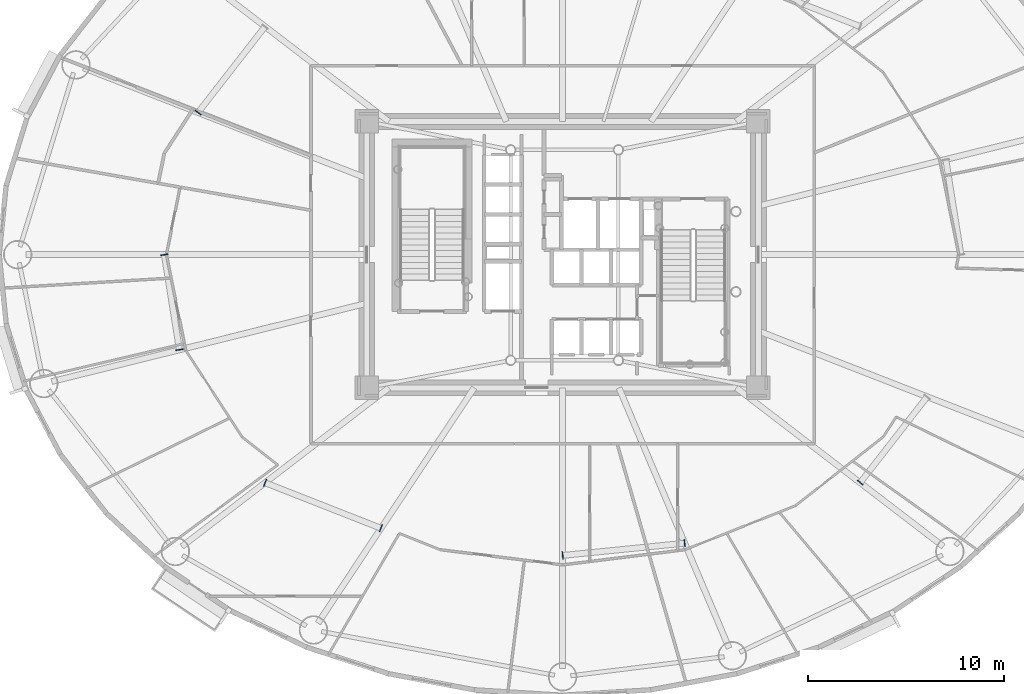
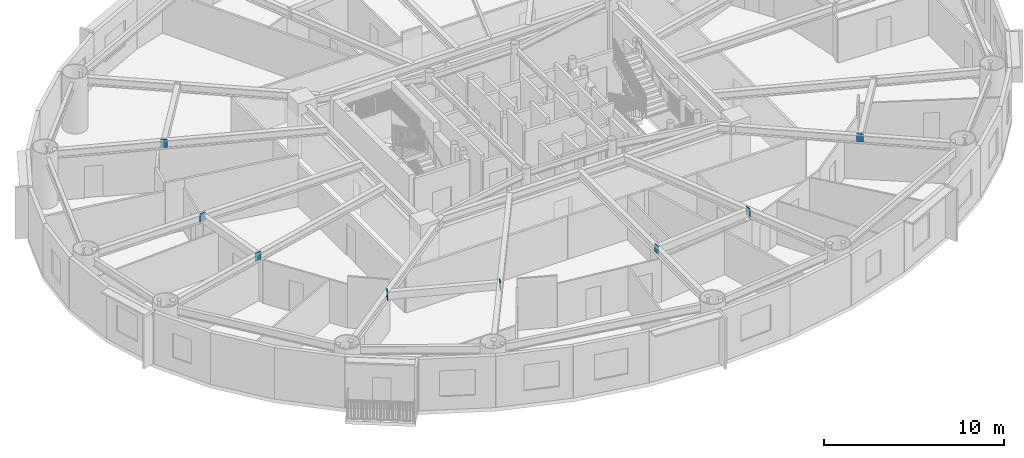
# One storey, part 9 of 22: 8 plates.
"""IFC4 building model written with IfcOpenShell, lengths in metres."""

from ifc_helpers import new_model, si_unit, direction, frame, origin, origin_2d, place, context, subcontext, project, spatial, rectangle, extrude, source, transform, mapped, material, layer, layer_set, type_object, element, save


model = new_model("IFC4")

# Units and contexts
model_context = context("Model", 3, precision=1e-05, world=origin(), true_north=direction((0.0, 1.0)))
body_context = subcontext(model_context, "Body", "Model", "MODEL_VIEW")
ifc_project = project(units=[si_unit("LENGTHUNIT", "METRE"), si_unit("AREAUNIT", "SQUARE_METRE"), si_unit("VOLUMEUNIT", "CUBIC_METRE"), si_unit("PLANEANGLEUNIT", "RADIAN"), si_unit("MASSUNIT", "GRAM", prefix="KILO")], contexts=[model_context])

# Site, building, storey
site_placement = place(None, origin())
site = spatial("IfcSite", under=ifc_project, at=site_placement, CompositionType="ELEMENT")
building_placement = place(site_placement, origin())
building = spatial("IfcBuilding", under=site, at=building_placement, Name="Linh Dai School and Residence Tower", CompositionType="ELEMENT")
storey_placement = place(building_placement, frame((0.0, 0.0, 130.949951171875)))
storey = spatial("IfcBuildingStorey", under=building, at=storey_placement, Name="L31", CompositionType="ELEMENT", Elevation=130.949951171875)

# Plates
ifc_material = material(Name="Structural Steel S355JR", Category="steel")
ifc_layer = layer(ifc_material, 0.0400390625)
ifc_layer_set = layer_set([ifc_layer], Name="Structural Steel S355JR")
plate_type = type_object("IfcPlateType", Name="PLT-GP1", PredefinedType="USERDEFINED", material=ifc_layer_set)
shared_shape = source(origin(), body_context, "Body", "SweptSolid", [
    extrude(rectangle(XDim=0.0400390625, YDim=0.3798828125, at=origin_2d()), origin(), (0.0, 0.0, 1.0), 0.5400390625),
])
for number, where, z_axis, x_axis, name in (
    (1, (17.390625, 34.260009765625, 2.97998046875), (0.0, 0.0, 1.0), (-0.614362913717, -0.789023580287, 0.0), "L31 Secondary Beam End Plate 04B"),
    (2, (15.662353515625, 26.9951171875, 2.97998046875), (0.0, 0.0, 1.0), (0.157025103807, -0.987594611556, 0.0), "L31 Secondary Beam End Plate 05A"),
    (3, (16.43359375, 22.14453125, 2.97998046875), (0.0, 0.0, 1.0), (0.157025103807, -0.987594611556, 0.0), "L31 Secondary Beam End Plate 05B"),
    (4, (20.810546875, 15.35205078125, 2.97998046875), (0.0, 0.0, 1.0), (0.930752465806, -0.3656498973, 0.0), "L31 Secondary Beam End Plate 06A"),
    (5, (26.720703125, 13.030029296875, 2.97998046875), (0.0, 0.0, 1.0), (0.930752465806, -0.3656498973, 0.0), "L31 Secondary Beam End Plate 06B"),
    (6, (36.0048828125, 11.642578125, 2.97998046875), (0.0, 0.0, 1.0), (0.995041739642, 0.09945821419, 0.0), "L31 Secondary Beam End Plate 07A"),
    (7, (42.2294921875, 12.2646484375, 2.97998046875), (0.0, 0.0, 1.0), (0.995041739642, 0.09945821419, 0.0), "L31 Secondary Beam End Plate 07B"),
    (8, (51.197265625, 15.35791015625, 2.97998046875), (0.0, 0.0, 1.0), (0.614362913717, 0.789023580287, 0.0), "L31 Secondary Beam End Plate 08A"),
):
    element("IfcPlate", number, at=place(storey_placement, frame(where, z_axis=z_axis, x_axis=x_axis)), inside=storey, type_object=plate_type, Name=name, ObjectType="GUSSET PLATE", PredefinedType="USERDEFINED", context=body_context, shape_type="MappedRepresentation", body=[
        mapped(shared_shape, transform((0.0, 0.0, 0.0), x_axis=(1.0, 0.0, 0.0), y_axis=(0.0, 1.0, 0.0), z_axis=(0.0, 0.0, 1.0), scale=1.0)),
    ])

save(model, "model.ifc")
